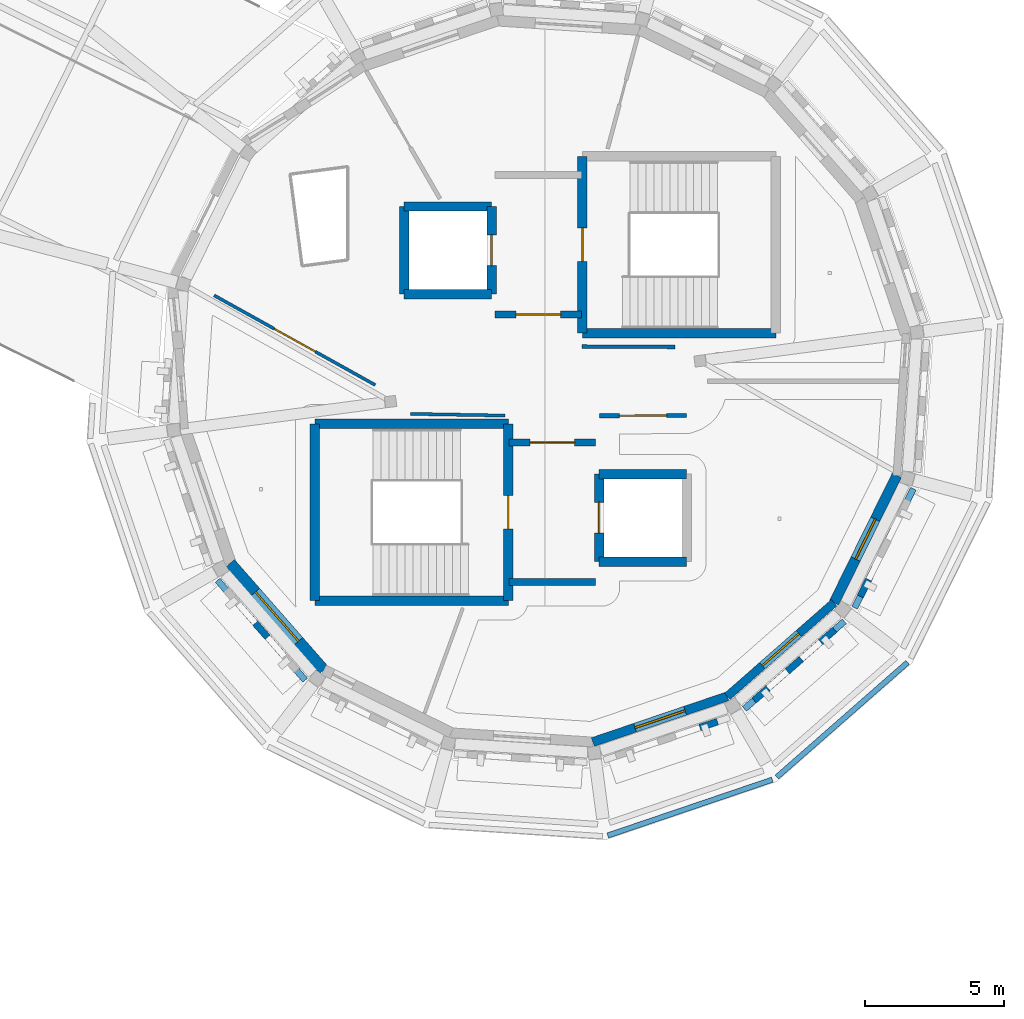
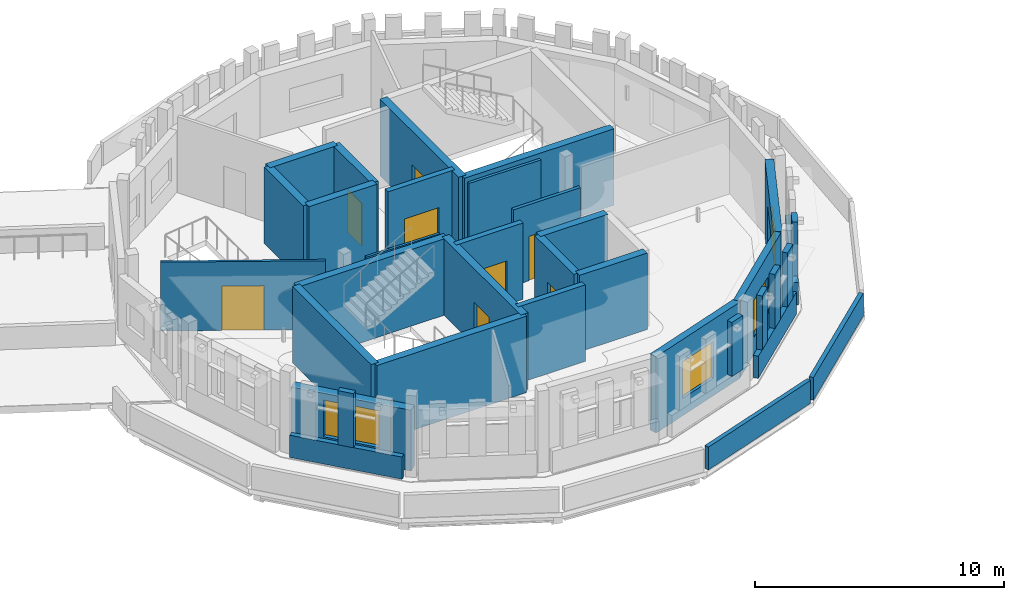
# One storey, part 43 of 51: 35 walls, 8 doors, 4 windows, 12 openings.
"""IFC4 building model written with IfcOpenShell, lengths in metres."""

from ifc_helpers import new_model, si_unit, direction, frame, frame_2d, origin, place, context, subcontext, project, spatial, rectangle, extrude, material, layer, layer_set, type_object, element, fill, save


model = new_model("IFC4")

# Units and contexts
model_context = context("Model", 3, precision=1e-05, world=origin(), true_north=direction((0.0, 1.0)))
body_context = subcontext(model_context, "Body", "Model", "MODEL_VIEW")
ifc_project = project(units=[si_unit("LENGTHUNIT", "METRE"), si_unit("AREAUNIT", "SQUARE_METRE"), si_unit("VOLUMEUNIT", "CUBIC_METRE"), si_unit("PLANEANGLEUNIT", "RADIAN"), si_unit("MASSUNIT", "GRAM", prefix="KILO")], contexts=[model_context])

# Site, building, storey
site_placement = place(None, origin())
site = spatial("IfcSite", under=ifc_project, at=site_placement, CompositionType="ELEMENT")
building_placement = place(site_placement, origin())
building = spatial("IfcBuilding", under=site, at=building_placement, Name="Wrenclough Park School", CompositionType="ELEMENT")
storey_placement = place(building_placement, frame((0.0, 0.0, 16.800048828125)))
storey = spatial("IfcBuildingStorey", under=building, at=storey_placement, Name="L04", CompositionType="ELEMENT", Elevation=16.800048828125)

# Walls
ifc_material_1 = material(Name="Perforated open-bond Staffordshire and Manchester brick screen pier", Category="masonry")
ifc_layer_1 = layer(ifc_material_1, 0.2451171875)
ifc_layer_set_1 = layer_set([ifc_layer_1], Name="Perforated open-bond Staffordshire and Manchester brick screen pier")
wall_type_1 = type_object("IfcWallType", Name="ENV-BS-PR245", PredefinedType="ELEMENTEDWALL", material=ifc_layer_set_1)
wall_1_placement = place(storey_placement, frame((164.091796875, 84.816162109375, 1.08984375), z_axis=(0.0, 0.0, 1.0), x_axis=(0.659151419206, -0.752010243653, 0.0)))
element("IfcWall", 1, at=wall_1_placement, inside=storey, type_object=wall_type_1, Name="D5 L04 perforated brick screen pier 0985", PredefinedType="ELEMENTEDWALL", context=body_context, shape_type="SweptSolid", body=[
    extrude(rectangle(XDim=0.667724609375, YDim=0.2451171875, at=frame_2d((0.333984375, 0.0))), origin(), (0.0, 0.0, 1.0), 2.650146484375),
])
wall_2_placement = place(storey_placement, frame((180.045166015625, 81.07177734375, 1.08984375), z_axis=(0.0, 0.0, 1.0), x_axis=(0.946948864442, 0.321384268643, 0.0)))
element("IfcWall", 2, at=wall_2_placement, inside=storey, type_object=wall_type_1, Name="D5 L04 perforated brick screen pier 0995", PredefinedType="ELEMENTEDWALL", context=body_context, shape_type="SweptSolid", body=[
    extrude(rectangle(XDim=0.6669921875, YDim=0.2451171875, at=frame_2d((0.33349609375, 0.0))), origin(), (0.0, 0.0, 1.0), 2.650146484375),
])
wall_3_placement = place(storey_placement, frame((181.989013671875, 82.043701171875, 1.08984375), z_axis=(0.0, 0.0, 1.0), x_axis=(0.751829042131, 0.659358090425, 0.0)))
element("IfcWall", 3, at=wall_3_placement, inside=storey, type_object=wall_type_1, Name="D5 L04 perforated brick screen pier 0996", PredefinedType="ELEMENTEDWALL", context=body_context, shape_type="SweptSolid", body=[
    extrude(rectangle(XDim=0.66796875, YDim=0.2451171875, at=frame_2d((0.333984375, 0.0))), origin(), (0.0, 0.0, 1.0), 2.650146484375),
])
wall_4_placement = place(storey_placement, frame((183.183837890625, 83.091796875, 1.08984375), z_axis=(0.0, 0.0, 1.0), x_axis=(0.752010243653, 0.659151419206, 0.0)))
element("IfcWall", 4, at=wall_4_placement, inside=storey, type_object=wall_type_1, Name="D5 L04 perforated brick screen pier 0997", PredefinedType="ELEMENTEDWALL", context=body_context, shape_type="SweptSolid", body=[
    extrude(rectangle(XDim=0.667724609375, YDim=0.2451171875, at=frame_2d((0.333984375, 0.0))), origin(), (0.0, 0.0, 1.0), 2.650146484375),
])
for number, where, z_axis, x_axis, name in (
    (5, (184.378662109375, 84.1396484375, 1.08984375), (0.0, 0.0, 1.0), (0.751829042131, 0.659358090425, 0.0), "D5 L04 perforated brick screen pier 0998"),
    (6, (185.802978515625, 85.78173828125, 1.08984375), (0.0, 0.0, 1.0), (0.442236102109, 0.896898673202, 0.0), "D5 L04 perforated brick screen pier 0999"),
):
    element("IfcWall", number, at=place(storey_placement, frame(where, z_axis=z_axis, x_axis=x_axis)), inside=storey, type_object=wall_type_1, Name=name, PredefinedType="ELEMENTEDWALL", context=body_context, shape_type="SweptSolid", body=[
        extrude(rectangle(XDim=0.66796875, YDim=0.2451171875, at=frame_2d((0.333984375, 0.0))), origin(), (0.0, 0.0, 1.0), 2.650146484375),
    ])
ifc_material_2 = material(Name="Open-bond Manchester multi-stock brick spandrel screen", Category="masonry")
ifc_layer_2 = layer(ifc_material_2, 0.22509765625)
ifc_layer_set_2 = layer_set([ifc_layer_2], Name="Open-bond Manchester multi-stock brick spandrel screen")
wall_type_2 = type_object("IfcWallType", Name="ENV-BS-SP225", PredefinedType="ELEMENTEDWALL", material=ifc_layer_set_2)
for number, where, z_axis, x_axis, name in (
    (7, (162.739990234375, 86.357421875, 0.0), (0.0, 0.0, 1.0), (0.659356078342, -0.751830806733, 0.0), "D5 L04 open-bond brick screen spandrel 0274"),
    (8, (181.642578125, 81.739990234375, 0.0), (0.0, 0.0, 1.0), (0.751830806733, 0.659356078342, 0.0), "D5 L04 open-bond brick screen spandrel 0278"),
    (9, (185.59912109375, 85.368408203125, 0.0), (0.0, 0.0, 1.0), (0.442291355722, 0.896871427047, 0.0), "D5 L04 open-bond brick screen spandrel 0279"),
):
    element("IfcWall", number, at=place(storey_placement, frame(where, z_axis=z_axis, x_axis=x_axis)), inside=storey, type_object=wall_type_2, Name=name, PredefinedType="ELEMENTEDWALL", context=body_context, shape_type="SweptSolid", body=[
        extrude(rectangle(XDim=4.76806640625, YDim=0.22509765625, at=frame_2d((2.384033203125, 0.0))), origin(), (0.0, 0.0, 1.0), 1.08984375),
    ])

# Wall, opening, window
ifc_material_3 = material(Name="Manchester multi-stock brick and Concrete C32/40 inner leaf", Category="masonry")
ifc_layer_3 = layer(ifc_material_3, 0.300048828125)
ifc_layer_set_3 = layer_set([ifc_layer_3], Name="Manchester multi-stock brick and Concrete C32/40 inner leaf")
wall_type_3 = type_object("IfcWallType", Name="ENV-EW-300", PredefinedType="SOLIDWALL", material=ifc_layer_set_3)
wall_5_placement = place(storey_placement, frame((184.859375, 85.55078125, 0.0), z_axis=(0.0, 0.0, 1.0), x_axis=(-0.751857877577, -0.659325209533, 0.0)))
wall_5 = element("IfcWall", 10, at=wall_5_placement, inside=storey, type_object=wall_type_3, Name="L04 insulated brick external wall 0352", PredefinedType="SOLIDWALL", context=body_context, shape_type="SweptSolid", body=[
    extrude(rectangle(XDim=5.0947265625, YDim=0.300048828125, at=frame_2d((2.54736328125, 0.0))), origin(), (0.0, 0.0, 1.0), 3.739990234375),
])
opening_1_placement = place(wall_5_placement, frame((1.67236328125, 0.0, 0.85009765625)))
opening_1 = element("IfcOpeningElement", 11, at=opening_1_placement, cuts=wall_5, Name="Opening WN-30", PredefinedType="OPENING", context=body_context, shape_type="SweptSolid", body=[
    extrude(rectangle(XDim=1.75, YDim=1.800048828125, at=frame_2d((0.875, 0.89990234375))), frame((0.0, 0.159912109375, 0.0), z_axis=(0.0, -1.0, 0.0), x_axis=(1.0, 0.0, 0.0)), (0.0, 0.0, 1.0), 0.320068359375),
])
ifc_material_4 = material(Name="Thermally broken aluminium and double-glazed low-e glass", Category="aluminium")
window_type_1 = type_object("IfcWindowType", Name="ENV-WN-30", PartitioningType="DOUBLE_PANEL_VERTICAL", PredefinedType="WINDOW", material=ifc_material_4)
window_1_placement = place(opening_1_placement, origin())
window_1 = element("IfcWindow", 12, at=window_1_placement, inside=storey, type_object=window_type_1, Name="L04 scheduled facade window 0589", OverallHeight=1.800048828125, OverallWidth=1.75, PartitioningType="SINGLE_PANEL", PredefinedType="WINDOW", context=body_context, shape_type="SweptSolid", body=[
    extrude(rectangle(XDim=1.75, YDim=1.800048828125, at=frame_2d((0.875, 0.89990234375))), frame((0.0, 0.030029296875, 0.0), z_axis=(0.0, -1.0, 0.0), x_axis=(1.0, 0.0, 0.0)), (0.0, 0.0, 1.0), 0.06005859375),
])
fill(opening_1, window_1)

ifc_layer_4 = layer(ifc_material_3, 0.324951171875)
ifc_layer_set_4 = layer_set([ifc_layer_4], Name="Manchester multi-stock brick and Concrete C32/40 inner leaf")
wall_type_4 = type_object("IfcWallType", Name="ENV-EW-325", PredefinedType="SOLIDWALL", material=ifc_layer_set_4)
wall_6_placement = place(storey_placement, frame((181.02880859375, 82.191650390625, 0.0), z_axis=(0.0, 0.0, 1.0), x_axis=(-0.946944067006, -0.321398403796, 0.0)))
wall_6 = element("IfcWall", 13, at=wall_6_placement, inside=storey, type_object=wall_type_4, Name="L04 insulated brick external wall 0353", PredefinedType="SOLIDWALL", context=body_context, shape_type="SweptSolid", body=[
    extrude(rectangle(XDim=5.0947265625, YDim=0.324951171875, at=frame_2d((2.54736328125, 0.0))), origin(), (0.0, 0.0, 1.0), 3.739990234375),
])
opening_2_placement = place(wall_6_placement, frame((1.597412109375, 0.0, 0.85009765625)))
opening_2 = element("IfcOpeningElement", 14, at=opening_2_placement, cuts=wall_6, Name="Opening WN-31", PredefinedType="OPENING", context=body_context, shape_type="SweptSolid", body=[
    extrude(rectangle(XDim=1.89990234375, YDim=1.800048828125, at=frame_2d((0.949951171875, 0.89990234375))), frame((0.0, 0.17236328125, 0.0), z_axis=(0.0, -1.0, 0.0), x_axis=(1.0, 0.0, 0.0)), (0.0, 0.0, 1.0), 0.344970703125),
])
window_type_2 = type_object("IfcWindowType", Name="ENV-WN-31", PartitioningType="DOUBLE_PANEL_VERTICAL", PredefinedType="WINDOW", material=ifc_material_4)
window_2_placement = place(opening_2_placement, origin())
window_2 = element("IfcWindow", 15, at=window_2_placement, inside=storey, type_object=window_type_2, Name="L04 scheduled facade window 0590", OverallHeight=1.800048828125, OverallWidth=1.89990234375, PartitioningType="SINGLE_PANEL", PredefinedType="WINDOW", context=body_context, shape_type="SweptSolid", body=[
    extrude(rectangle(XDim=1.89990234375, YDim=1.800048828125, at=frame_2d((0.949951171875, 0.89990234375))), frame((0.0, 0.030029296875, 0.0), z_axis=(0.0, -1.0, 0.0), x_axis=(1.0, 0.0, 0.0)), (0.0, 0.0, 1.0), 0.06005859375),
])
fill(opening_2, window_2)

ifc_material_5 = material(Name="Faceted courtyard brick-cavity wall Concrete C35/45", Category="masonry")
ifc_layer_5 = layer(ifc_material_5, 0.364990234375)
ifc_layer_set_5 = layer_set([ifc_layer_5], Name="Faceted courtyard brick-cavity wall Concrete C35/45")
wall_type_5 = type_object("IfcWallType", Name="ENV-EW-365", PredefinedType="SOLIDWALL", material=ifc_layer_set_5)
wall_7_placement = place(storey_placement, frame((187.11279296875, 90.12060546875, 0.0), z_axis=(0.0, 0.0, 1.0), x_axis=(-0.442261861213, -0.896885971635, 0.0)))
wall_7 = element("IfcWall", 16, at=wall_7_placement, inside=storey, type_object=wall_type_5, Name="L04 insulated brick external wall 0351", PredefinedType="SOLIDWALL", context=body_context, shape_type="SweptSolid", body=[
    extrude(rectangle(XDim=5.09521484375, YDim=0.364990234375, at=frame_2d((2.547607421875, 0.0))), origin(), (0.0, 0.0, 1.0), 3.739990234375),
])
opening_3_placement = place(wall_7_placement, frame((1.74755859375, 0.0, 0.85009765625)))
opening_3 = element("IfcOpeningElement", 17, at=opening_3_placement, cuts=wall_7, Name="Opening WN-29", PredefinedType="OPENING", context=body_context, shape_type="SweptSolid", body=[
    extrude(rectangle(XDim=1.60009765625, YDim=1.800048828125, at=frame_2d((0.800048828125, 0.89990234375))), frame((0.0, 0.1923828125, 0.0), z_axis=(0.0, -1.0, 0.0), x_axis=(1.0, 0.0, 0.0)), (0.0, 0.0, 1.0), 0.385009765625),
])
window_type_3 = type_object("IfcWindowType", Name="ENV-WN-29", PartitioningType="DOUBLE_PANEL_VERTICAL", PredefinedType="WINDOW", material=ifc_material_4)
window_3_placement = place(opening_3_placement, origin())
window_3 = element("IfcWindow", 18, at=window_3_placement, inside=storey, type_object=window_type_3, Name="L04 scheduled facade window 0588", OverallHeight=1.800048828125, OverallWidth=1.60009765625, PartitioningType="SINGLE_PANEL", PredefinedType="WINDOW", context=body_context, shape_type="SweptSolid", body=[
    extrude(rectangle(XDim=1.60009765625, YDim=1.800048828125, at=frame_2d((0.800048828125, 0.89990234375))), frame((0.0, 0.030029296875, 0.0), z_axis=(0.0, -1.0, 0.0), x_axis=(1.0, 0.0, 0.0)), (0.0, 0.0, 1.0), 0.06005859375),
])
fill(opening_3, window_3)

ifc_material_6 = material(Name="Staffordshire blue-grey brick and Concrete C40/50 acoustic leaf", Category="masonry")
ifc_layer_6 = layer(ifc_material_6, 0.39990234375)
ifc_layer_set_6 = layer_set([ifc_layer_6], Name="Staffordshire blue-grey brick and Concrete C40/50 acoustic leaf")
wall_type_6 = type_object("IfcWallType", Name="ENV-EW-400", PredefinedType="SOLIDWALL", material=ifc_layer_set_6)
wall_8_placement = place(storey_placement, frame((166.55078125, 83.140625, 0.0), z_axis=(0.0, 0.0, 1.0), x_axis=(-0.659325209533, 0.751857877577, 0.0)))
wall_8 = element("IfcWall", 19, at=wall_8_placement, inside=storey, type_object=wall_type_6, Name="L04 insulated brick external wall 0356", PredefinedType="SOLIDWALL", context=body_context, shape_type="SweptSolid", body=[
    extrude(rectangle(XDim=5.0947265625, YDim=0.39990234375, at=frame_2d((2.54736328125, 0.0))), origin(), (0.0, 0.0, 1.0), 2.98193359375),
])
opening_4_placement = place(wall_8_placement, frame((1.372314453125, 0.0, 0.85009765625)))
opening_4 = element("IfcOpeningElement", 20, at=opening_4_placement, cuts=wall_8, Name="Opening WN-34", PredefinedType="OPENING", context=body_context, shape_type="SweptSolid", body=[
    extrude(rectangle(XDim=2.35009765625, YDim=1.800048828125, at=frame_2d((1.175048828125, 0.89990234375))), frame((0.0, 0.2099609375, 0.0), z_axis=(0.0, -1.0, 0.0), x_axis=(1.0, 0.0, 0.0)), (0.0, 0.0, 1.0), 0.419921875),
])
window_type_4 = type_object("IfcWindowType", Name="ENV-WN-34", PartitioningType="DOUBLE_PANEL_VERTICAL", PredefinedType="WINDOW", material=ifc_material_4)
window_4_placement = place(opening_4_placement, origin())
window_4 = element("IfcWindow", 21, at=window_4_placement, inside=storey, type_object=window_type_4, Name="L04 scheduled facade window 0593", OverallHeight=1.800048828125, OverallWidth=2.35009765625, PartitioningType="SINGLE_PANEL", PredefinedType="WINDOW", context=body_context, shape_type="SweptSolid", body=[
    extrude(rectangle(XDim=2.35009765625, YDim=1.800048828125, at=frame_2d((1.175048828125, 0.89990234375))), frame((0.0, 0.030029296875, 0.0), z_axis=(0.0, -1.0, 0.0), x_axis=(1.0, 0.0, 0.0)), (0.0, 0.0, 1.0), 0.06005859375),
])
fill(opening_4, window_4)

# Walls
ifc_material_7 = material(Name="Patinated copper-coped link roof parapet", Category="masonry")
ifc_layer_7 = layer(ifc_material_7, 0.18994140625)
ifc_layer_set_7 = layer_set([ifc_layer_7], Name="Patinated copper-coped link roof parapet")
wall_type_7 = type_object("IfcWallType", Name="ENV-PW-190", PredefinedType="PARAPET", material=ifc_layer_set_7)
for number, where, z_axis, x_axis, name in (
    (22, (176.740234375, 77.198974609375, 0.0), (0.0, 0.0, 1.0), (0.946927007539, 0.321448662143, 0.0), "D5-STEP-ROOF cylindrical drum parapet wall 060"),
    (23, (182.807861328125, 79.297119140625, 0.0), (0.0, 0.0, 1.0), (0.751841494218, 0.659343891738, 0.0), "D5-STEP-ROOF cylindrical drum parapet wall 061"),
):
    element("IfcWall", number, at=place(storey_placement, frame(where, z_axis=z_axis, x_axis=x_axis)), inside=storey, type_object=wall_type_7, Name=name, PredefinedType="PARAPET", context=body_context, shape_type="SweptSolid", body=[
        extrude(rectangle(XDim=6.237060546875, YDim=0.18994140625, at=frame_2d((3.11865234375, 0.0))), origin(), (0.0, 0.0, 1.0), 1.119873046875),
    ])
ifc_material_8 = material(Name="Concrete C35/45", Category="concrete")
ifc_layer_8 = layer(ifc_material_8, 0.25)
ifc_layer_set_8 = layer_set([ifc_layer_8], Name="Concrete C35/45")
wall_type_8 = type_object("IfcWallType", Name="INT-CW-250", PredefinedType="SHEAR", material=ifc_layer_set_8)
wall_9_placement = place(storey_placement, frame((173.199951171875, 86.300048828125, 0.0), z_axis=(0.0, 0.0, 1.0), x_axis=(1.0, 0.0, 0.0)))
element("IfcWall", 24, at=wall_9_placement, inside=storey, type_object=wall_type_8, Name="Core C5 L04 lobby fire wall south", PredefinedType="SHEAR", context=body_context, shape_type="SweptSolid", body=[
    extrude(rectangle(XDim=3.10009765625, YDim=0.25, at=frame_2d((1.550048828125, 0.0))), origin(), (0.0, 0.0, 1.0), 3.75),
])

# Wall, opening, door
wall_10_placement = place(storey_placement, frame((176.300048828125, 91.300048828125, 0.0), z_axis=(0.0, 0.0, 1.0), x_axis=(-1.0, 0.0, 0.0)))
wall_10 = element("IfcWall", 25, at=wall_10_placement, inside=storey, type_object=wall_type_8, Name="Core C5 L04 lobby fire wall north", PredefinedType="SHEAR", context=body_context, shape_type="SweptSolid", body=[
    extrude(rectangle(XDim=3.10009765625, YDim=0.25, at=frame_2d((1.550048828125, 0.0))), origin(), (0.0, 0.0, 1.0), 3.75),
])
opening_5_placement = place(wall_10_placement, frame((0.75, 0.0, 0.0)))
opening_5 = element("IfcOpeningElement", 26, at=opening_5_placement, cuts=wall_10, Name="Opening DLB-C5-L04", PredefinedType="OPENING", context=body_context, shape_type="SweptSolid", body=[
    extrude(rectangle(XDim=1.60009765625, YDim=2.14990234375, at=frame_2d((0.800048828125, 1.074951171875))), frame((0.0, 0.135009765625, 0.0), z_axis=(0.0, -1.0, 0.0), x_axis=(1.0, 0.0, 0.0)), (0.0, 0.0, 1.0), 0.27001953125),
])
ifc_material_9 = material(Name="Double-leaf firefighting lobby door assembly", Category="wood")
door_type_1 = type_object("IfcDoorType", Name="INT-DR-FF160", OperationType="NOTDEFINED", PredefinedType="DOOR", material=ifc_material_9)
door_1_placement = place(opening_5_placement, origin())
door_1 = element("IfcDoor", 27, at=door_1_placement, inside=storey, type_object=door_type_1, Name="Core C5 L04 protected lobby fire door", OperationType="DOUBLE_DOOR_SINGLE_SWING", OverallHeight=2.14990234375, OverallWidth=1.60009765625, PredefinedType="DOOR", context=body_context, shape_type="SweptSolid", body=[
    extrude(rectangle(XDim=1.60009765625, YDim=2.14990234375, at=frame_2d((0.800048828125, 1.074951171875))), frame((0.0, 0.02490234375, 0.0), z_axis=(0.0, -1.0, 0.0), x_axis=(1.0, 0.0, 0.0)), (0.0, 0.0, 1.0), 0.050048828125),
])
fill(opening_5, door_1)

wall_11_placement = place(storey_placement, frame((172.699951171875, 95.89990234375, 0.0), z_axis=(0.0, 0.0, 1.0), x_axis=(1.0, 0.0, 0.0)))
wall_11 = element("IfcWall", 28, at=wall_11_placement, inside=storey, type_object=wall_type_8, Name="Core C6 L04 lobby fire wall south", PredefinedType="SHEAR", context=body_context, shape_type="SweptSolid", body=[
    extrude(rectangle(XDim=3.10009765625, YDim=0.25, at=frame_2d((1.550048828125, 0.0))), origin(), (0.0, 0.0, 1.0), 3.75),
])
opening_6_placement = place(wall_11_placement, frame((0.75, 0.0, 0.0)))
opening_6 = element("IfcOpeningElement", 29, at=opening_6_placement, cuts=wall_11, Name="Opening DLB-C6-L04", PredefinedType="OPENING", context=body_context, shape_type="SweptSolid", body=[
    extrude(rectangle(XDim=1.60009765625, YDim=2.14990234375, at=frame_2d((0.800048828125, 1.074951171875))), frame((0.0, 0.135009765625, 0.0), z_axis=(0.0, -1.0, 0.0), x_axis=(1.0, 0.0, 0.0)), (0.0, 0.0, 1.0), 0.27001953125),
])
door_2_placement = place(opening_6_placement, origin())
door_2 = element("IfcDoor", 30, at=door_2_placement, inside=storey, type_object=door_type_1, Name="Core C6 L04 protected lobby fire door", OperationType="DOUBLE_DOOR_SINGLE_SWING", OverallHeight=2.14990234375, OverallWidth=1.60009765625, PredefinedType="DOOR", context=body_context, shape_type="SweptSolid", body=[
    extrude(rectangle(XDim=1.60009765625, YDim=2.14990234375, at=frame_2d((0.800048828125, 1.074951171875))), frame((0.0, 0.02490234375, 0.0), z_axis=(0.0, -1.0, 0.0), x_axis=(1.0, 0.0, 0.0)), (0.0, 0.0, 1.0), 0.050048828125),
])
fill(opening_6, door_2)

# Wall
ifc_material_10 = material(Name="Concrete C40/50", Category="concrete")
ifc_layer_9 = layer(ifc_material_10, 0.340087890625)
ifc_layer_set_9 = layer_set([ifc_layer_9], Name="Concrete C40/50")
wall_type_9 = type_object("IfcWallType", Name="INT-CW-340", PredefinedType="SHEAR", material=ifc_layer_set_9)
wall_12_placement = place(storey_placement, frame((166.22998046875, 85.6298828125, 0.0), z_axis=(0.0, 0.0, 1.0), x_axis=(1.0, 0.0, 0.0)))
element("IfcWall", 31, at=wall_12_placement, inside=storey, type_object=wall_type_9, Name="Core C5 L04 south shear wall", PredefinedType="SHEAR", context=body_context, shape_type="SweptSolid", body=[
    extrude(rectangle(XDim=6.93994140625, YDim=0.340087890625, at=frame_2d((3.469970703125, 0.0))), origin(), (0.0, 0.0, 1.0), 3.75),
])

# Wall, opening, door
wall_13_placement = place(storey_placement, frame((173.169921875, 85.6298828125, 0.0), z_axis=(0.0, 0.0, 1.0), x_axis=(0.0, 1.0, 0.0)))
wall_13 = element("IfcWall", 32, at=wall_13_placement, inside=storey, type_object=wall_type_9, Name="Core C5 L04 east shear wall", PredefinedType="SHEAR", context=body_context, shape_type="SweptSolid", body=[
    extrude(rectangle(XDim=6.340087890625, YDim=0.340087890625, at=frame_2d((3.169921875, 0.0))), origin(), (0.0, 0.0, 1.0), 3.75),
])
opening_7_placement = place(wall_13_placement, frame((2.570068359375, 0.0, 0.0)))
opening_7 = element("IfcOpeningElement", 33, at=opening_7_placement, cuts=wall_13, Name="Opening DST-C5-L04", PredefinedType="OPENING", context=body_context, shape_type="SweptSolid", body=[
    extrude(rectangle(XDim=1.199951171875, YDim=2.10009765625, at=frame_2d((0.60009765625, 1.050048828125))), frame((0.0, 0.179931640625, 0.0), z_axis=(0.0, -1.0, 0.0), x_axis=(1.0, 0.0, 0.0)), (0.0, 0.0, 1.0), 0.360107421875),
])
ifc_material_11 = material(Name="Solid-core hardwood firefighting stair door assembly", Category="wood")
door_type_2 = type_object("IfcDoorType", Name="INT-DR-FF120", OperationType="NOTDEFINED", PredefinedType="DOOR", material=ifc_material_11)
door_3_placement = place(opening_7_placement, origin())
door_3 = element("IfcDoor", 34, at=door_3_placement, inside=storey, type_object=door_type_2, Name="Stair ST-05 L04 fire door", OperationType="SINGLE_SWING_LEFT", OverallHeight=2.10009765625, OverallWidth=1.199951171875, PredefinedType="DOOR", context=body_context, shape_type="SweptSolid", body=[
    extrude(rectangle(XDim=1.199951171875, YDim=2.10009765625, at=frame_2d((0.60009765625, 1.050048828125))), frame((0.0, 0.02490234375, 0.0), z_axis=(0.0, -1.0, 0.0), x_axis=(1.0, 0.0, 0.0)), (0.0, 0.0, 1.0), 0.050048828125),
])
fill(opening_7, door_3)

# Walls
wall_14_placement = place(storey_placement, frame((173.169921875, 91.969970703125, 0.0), z_axis=(0.0, 0.0, 1.0), x_axis=(-1.0, 0.0, 0.0)))
element("IfcWall", 35, at=wall_14_placement, inside=storey, type_object=wall_type_9, Name="Core C5 L04 north shear wall", PredefinedType="SHEAR", context=body_context, shape_type="SweptSolid", body=[
    extrude(rectangle(XDim=6.93994140625, YDim=0.340087890625, at=frame_2d((3.469970703125, 0.0))), origin(), (0.0, 0.0, 1.0), 3.75),
])
wall_15_placement = place(storey_placement, frame((166.22998046875, 91.969970703125, 0.0), z_axis=(0.0, 0.0, 1.0), x_axis=(0.0, -1.0, 0.0)))
element("IfcWall", 36, at=wall_15_placement, inside=storey, type_object=wall_type_9, Name="Core C5 L04 west shear wall", PredefinedType="SHEAR", context=body_context, shape_type="SweptSolid", body=[
    extrude(rectangle(XDim=6.340087890625, YDim=0.340087890625, at=frame_2d((3.169921875, 0.0))), origin(), (0.0, 0.0, 1.0), 3.75),
])
for number, where, z_axis, x_axis, name in (
    (37, (176.429931640625, 87.030029296875, 0.0), (0.0, 0.0, 1.0), (1.0, 0.0, 0.0), "Lift LFT-01 L04 south shaft wall"),
    (38, (179.570068359375, 90.169921875, 0.0), (0.0, 0.0, 1.0), (-1.0, 0.0, 0.0), "Lift LFT-01 L04 north shaft wall"),
):
    element("IfcWall", number, at=place(storey_placement, frame(where, z_axis=z_axis, x_axis=x_axis)), inside=storey, type_object=wall_type_9, Name=name, PredefinedType="SHEAR", context=body_context, shape_type="SweptSolid", body=[
        extrude(rectangle(XDim=3.14013671875, YDim=0.340087890625, at=frame_2d((1.570068359375, 0.0))), origin(), (0.0, 0.0, 1.0), 3.75),
    ])

# Wall, opening, door
wall_16_placement = place(storey_placement, frame((176.429931640625, 90.169921875, 0.0), z_axis=(0.0, 0.0, 1.0), x_axis=(0.0, -1.0, 0.0)))
wall_16 = element("IfcWall", 39, at=wall_16_placement, inside=storey, type_object=wall_type_9, Name="Lift LFT-01 L04 west shaft wall", PredefinedType="SHEAR", context=body_context, shape_type="SweptSolid", body=[
    extrude(rectangle(XDim=3.139892578125, YDim=0.340087890625, at=frame_2d((1.56982421875, 0.0))), origin(), (0.0, 0.0, 1.0), 3.75),
])
opening_8_placement = place(wall_16_placement, frame((1.02001953125, 0.0, 0.0)))
opening_8 = element("IfcOpeningElement", 40, at=opening_8_placement, cuts=wall_16, Name="Opening LD-01-L04", PredefinedType="OPENING", context=body_context, shape_type="SweptSolid", body=[
    extrude(rectangle(XDim=1.10009765625, YDim=2.10009765625, at=frame_2d((0.550048828125, 1.050048828125))), frame((0.0, 0.179931640625, 0.0), z_axis=(0.0, -1.0, 0.0), x_axis=(1.0, 0.0, 0.0)), (0.0, 0.0, 1.0), 0.360107421875),
])
ifc_material_12 = material(Name="Brushed stainless steel", Category="steel")
door_type_3 = type_object("IfcDoorType", Name="INT-DR-LD110", OperationType="NOTDEFINED", PredefinedType="DOOR", material=ifc_material_12)
door_4_placement = place(opening_8_placement, frame((1.10009765625, 0.0, 0.0), z_axis=(0.0, 0.0, 1.0), x_axis=(-1.0, 0.0, 0.0)))
door_4 = element("IfcDoor", 41, at=door_4_placement, inside=storey, type_object=door_type_3, Name="Lift LFT-01 L04 sliding landing door", OperationType="DOUBLE_DOOR_SLIDING", OverallHeight=2.10009765625, OverallWidth=1.10009765625, PredefinedType="DOOR", context=body_context, shape_type="SweptSolid", body=[
    extrude(rectangle(XDim=1.10009765625, YDim=2.10009765625, at=frame_2d((0.550048828125, 1.050048828125))), frame((0.0, 0.02490234375, 0.0), z_axis=(0.0, -1.0, 0.0), x_axis=(1.0, 0.0, 0.0)), (0.0, 0.0, 1.0), 0.050048828125),
])
fill(opening_8, door_4)

# Wall
wall_17_placement = place(storey_placement, frame((175.830078125, 95.22998046875, 0.0), z_axis=(0.0, 0.0, 1.0), x_axis=(1.0, 0.0, 0.0)))
element("IfcWall", 42, at=wall_17_placement, inside=storey, type_object=wall_type_9, Name="Core C6 L04 south shear wall", PredefinedType="SHEAR", context=body_context, shape_type="SweptSolid", body=[
    extrude(rectangle(XDim=6.93994140625, YDim=0.340087890625, at=frame_2d((3.469970703125, 0.0))), origin(), (0.0, 0.0, 1.0), 3.75),
])

# Wall, opening, door
wall_18_placement = place(storey_placement, frame((175.830078125, 101.570068359375, 0.0), z_axis=(0.0, 0.0, 1.0), x_axis=(0.0, -1.0, 0.0)))
wall_18 = element("IfcWall", 43, at=wall_18_placement, inside=storey, type_object=wall_type_9, Name="Core C6 L04 west shear wall", PredefinedType="SHEAR", context=body_context, shape_type="SweptSolid", body=[
    extrude(rectangle(XDim=6.340087890625, YDim=0.340087890625, at=frame_2d((3.169921875, 0.0))), origin(), (0.0, 0.0, 1.0), 3.75),
])
opening_9_placement = place(wall_18_placement, frame((2.570068359375, 0.0, 0.0)))
opening_9 = element("IfcOpeningElement", 44, at=opening_9_placement, cuts=wall_18, Name="Opening DST-C6-L04", PredefinedType="OPENING", context=body_context, shape_type="SweptSolid", body=[
    extrude(rectangle(XDim=1.199951171875, YDim=2.10009765625, at=frame_2d((0.60009765625, 1.050048828125))), frame((0.0, 0.179931640625, 0.0), z_axis=(0.0, -1.0, 0.0), x_axis=(1.0, 0.0, 0.0)), (0.0, 0.0, 1.0), 0.360107421875),
])
door_5_placement = place(opening_9_placement, origin())
door_5 = element("IfcDoor", 45, at=door_5_placement, inside=storey, type_object=door_type_2, Name="Stair ST-06 L04 fire door", OperationType="SINGLE_SWING_LEFT", OverallHeight=2.10009765625, OverallWidth=1.199951171875, PredefinedType="DOOR", context=body_context, shape_type="SweptSolid", body=[
    extrude(rectangle(XDim=1.199951171875, YDim=2.10009765625, at=frame_2d((0.60009765625, 1.050048828125))), frame((0.0, 0.02490234375, 0.0), z_axis=(0.0, -1.0, 0.0), x_axis=(1.0, 0.0, 0.0)), (0.0, 0.0, 1.0), 0.050048828125),
])
fill(opening_9, door_5)

# Wall
wall_19_placement = place(storey_placement, frame((169.429931640625, 96.6298828125, 0.0), z_axis=(0.0, 0.0, 1.0), x_axis=(1.0, 0.0, 0.0)))
element("IfcWall", 46, at=wall_19_placement, inside=storey, type_object=wall_type_9, Name="Lift LFT-02 L04 south shaft wall", PredefinedType="SHEAR", context=body_context, shape_type="SweptSolid", body=[
    extrude(rectangle(XDim=3.14013671875, YDim=0.340087890625, at=frame_2d((1.570068359375, 0.0))), origin(), (0.0, 0.0, 1.0), 3.75),
])

# Wall, opening, door
wall_20_placement = place(storey_placement, frame((172.570068359375, 96.6298828125, 0.0), z_axis=(0.0, 0.0, 1.0), x_axis=(0.0, 1.0, 0.0)))
wall_20 = element("IfcWall", 47, at=wall_20_placement, inside=storey, type_object=wall_type_9, Name="Lift LFT-02 L04 east shaft wall", PredefinedType="SHEAR", context=body_context, shape_type="SweptSolid", body=[
    extrude(rectangle(XDim=3.14013671875, YDim=0.340087890625, at=frame_2d((1.570068359375, 0.0))), origin(), (0.0, 0.0, 1.0), 3.75),
])
opening_10_placement = place(wall_20_placement, frame((1.02001953125, 0.0, 0.0)))
opening_10 = element("IfcOpeningElement", 48, at=opening_10_placement, cuts=wall_20, Name="Opening LD-02-L04", PredefinedType="OPENING", context=body_context, shape_type="SweptSolid", body=[
    extrude(rectangle(XDim=1.10009765625, YDim=2.10009765625, at=frame_2d((0.550048828125, 1.050048828125))), frame((0.0, 0.179931640625, 0.0), z_axis=(0.0, -1.0, 0.0), x_axis=(1.0, 0.0, 0.0)), (0.0, 0.0, 1.0), 0.360107421875),
])
door_6_placement = place(opening_10_placement, frame((1.10009765625, 0.0, 0.0), z_axis=(0.0, 0.0, 1.0), x_axis=(-1.0, 0.0, 0.0)))
door_6 = element("IfcDoor", 49, at=door_6_placement, inside=storey, type_object=door_type_3, Name="Lift LFT-02 L04 sliding landing door", OperationType="DOUBLE_DOOR_SLIDING", OverallHeight=2.10009765625, OverallWidth=1.10009765625, PredefinedType="DOOR", context=body_context, shape_type="SweptSolid", body=[
    extrude(rectangle(XDim=1.10009765625, YDim=2.10009765625, at=frame_2d((0.550048828125, 1.050048828125))), frame((0.0, 0.02490234375, 0.0), z_axis=(0.0, -1.0, 0.0), x_axis=(1.0, 0.0, 0.0)), (0.0, 0.0, 1.0), 0.050048828125),
])
fill(opening_10, door_6)

# Walls
for number, where, z_axis, x_axis, name in (
    (50, (172.570068359375, 99.77001953125, 0.0), (0.0, 0.0, 1.0), (-1.0, 0.0, 0.0), "Lift LFT-02 L04 north shaft wall"),
    (51, (169.429931640625, 99.77001953125, 0.0), (0.0, 0.0, 1.0), (0.0, -1.0, 0.0), "Lift LFT-02 L04 west shaft wall"),
):
    element("IfcWall", number, at=place(storey_placement, frame(where, z_axis=z_axis, x_axis=x_axis)), inside=storey, type_object=wall_type_9, Name=name, PredefinedType="SHEAR", context=body_context, shape_type="SweptSolid", body=[
        extrude(rectangle(XDim=3.14013671875, YDim=0.340087890625, at=frame_2d((1.570068359375, 0.0))), origin(), (0.0, 0.0, 1.0), 3.75),
    ])
ifc_material_13 = material(Name="Lightweight fire-rated store partition", Category="gypsum")
ifc_layer_10 = layer(ifc_material_13, 0.110107421875)
ifc_layer_set_10 = layer_set([ifc_layer_10], Name="Lightweight fire-rated store partition")
wall_type_10 = type_object("IfcWallType", Name="INT-PW-110", PredefinedType="PARTITIONING", material=ifc_layer_set_10)
wall_21_placement = place(storey_placement, frame((173.059326171875, 92.267578125, 0.0), z_axis=(0.0, 0.0, 1.0), x_axis=(-0.999839658039, 0.017906931946, 0.0)))
element("IfcWall", 52, at=wall_21_placement, inside=storey, type_object=wall_type_10, Name="L04 internal partition 0505", PredefinedType="PARTITIONING", context=body_context, shape_type="SweptSolid", body=[
    extrude(rectangle(XDim=3.394775390625, YDim=0.110107421875, at=frame_2d((1.697265625, 0.0))), origin(), (0.0, 0.0, 1.0), 3.72998046875),
])

# Wall, opening, door
wall_22_placement = place(storey_placement, frame((168.39599609375, 93.364990234375, 0.0), z_axis=(0.0, 0.0, 1.0), x_axis=(-0.873866395656, 0.486166147055, 0.0)))
wall_22 = element("IfcWall", 53, at=wall_22_placement, inside=storey, type_object=wall_type_10, Name="L04 internal partition 0506", PredefinedType="PARTITIONING", context=body_context, shape_type="SweptSolid", body=[
    extrude(rectangle(XDim=6.615234375, YDim=0.110107421875, at=frame_2d((3.3076171875, 0.0))), origin(), (0.0, 0.0, 1.0), 3.376953125),
])
opening_11_placement = place(wall_22_placement, frame((2.45751953125, 0.0, 0.0)))
opening_11 = element("IfcOpeningElement", 54, at=opening_11_placement, cuts=wall_22, Name="Opening DR-L04-110", PredefinedType="OPENING", context=body_context, shape_type="SweptSolid", body=[
    extrude(rectangle(XDim=1.699951171875, YDim=2.179931640625, at=frame_2d((0.85009765625, 1.08984375))), frame((0.0, 0.06494140625, 0.0), z_axis=(0.0, -1.0, 0.0), x_axis=(1.0, 0.0, 0.0)), (0.0, 0.0, 1.0), 0.130126953125),
])
ifc_material_14 = material(Name="Library reading room double vision door assembly", Category="wood")
door_type_4 = type_object("IfcDoorType", Name="INT-DR-LIB170", OperationType="NOTDEFINED", PredefinedType="DOOR", material=ifc_material_14)
door_7_placement = place(opening_11_placement, origin())
door_7 = element("IfcDoor", 55, at=door_7_placement, inside=storey, type_object=door_type_4, Name="Sixth Form Reference Library door DR-L04-110", OperationType="DOUBLE_DOOR_SINGLE_SWING", OverallHeight=2.179931640625, OverallWidth=1.699951171875, PredefinedType="DOOR", context=body_context, shape_type="SweptSolid", body=[
    extrude(rectangle(XDim=1.699951171875, YDim=2.179931640625, at=frame_2d((0.85009765625, 1.08984375))), frame((0.0, 0.02490234375, 0.0), z_axis=(0.0, -1.0, 0.0), x_axis=(1.0, 0.0, 0.0)), (0.0, 0.0, 1.0), 0.050048828125),
])
fill(opening_11, door_7)

# Wall
ifc_material_15 = material(Name="Standard fire-rated room partition", Category="gypsum")
ifc_layer_11 = layer(ifc_material_15, 0.1298828125)
ifc_layer_set_11 = layer_set([ifc_layer_11], Name="Standard fire-rated room partition")
wall_type_11 = type_object("IfcWallType", Name="INT-PW-130", PredefinedType="PARTITIONING", material=ifc_layer_set_11)
wall_23_placement = place(storey_placement, frame((175.818603515625, 94.745361328125, 0.0), z_axis=(0.0, 0.0, 1.0), x_axis=(0.999988652351, -0.004763944767, 0.0)))
element("IfcWall", 56, at=wall_23_placement, inside=storey, type_object=wall_type_11, Name="L04 internal partition 0510", PredefinedType="PARTITIONING", context=body_context, shape_type="SweptSolid", body=[
    extrude(rectangle(XDim=3.3310546875, YDim=0.1298828125, at=frame_2d((1.66552734375, 0.0))), origin(), (0.0, 0.0, 1.0), 3.72998046875),
])

# Wall, opening, door
ifc_material_16 = material(Name="Protected corridor partition", Category="gypsum")
ifc_layer_12 = layer(ifc_material_16, 0.14990234375)
ifc_layer_set_12 = layer_set([ifc_layer_12], Name="Protected corridor partition")
wall_type_12 = type_object("IfcWallType", Name="INT-PW-150", PredefinedType="PARTITIONING", material=ifc_layer_set_12)
wall_24_placement = place(storey_placement, frame((179.560302734375, 92.2705078125, 0.0), z_axis=(0.0, 0.0, 1.0), x_axis=(-0.999992920235, -0.003762908449, 0.0)))
wall_24 = element("IfcWall", 57, at=wall_24_placement, inside=storey, type_object=wall_type_12, Name="L04 internal partition 0508", PredefinedType="PARTITIONING", context=body_context, shape_type="SweptSolid", body=[
    extrude(rectangle(XDim=3.1142578125, YDim=0.14990234375, at=frame_2d((1.55712890625, 0.0))), origin(), (0.0, 0.0, 1.0), 3.72998046875),
])
opening_12_placement = place(wall_24_placement, frame((0.707275390625, 0.0, 0.0)))
opening_12 = element("IfcOpeningElement", 58, at=opening_12_placement, cuts=wall_24, Name="Opening DR-L04-111", PredefinedType="OPENING", context=body_context, shape_type="SweptSolid", body=[
    extrude(rectangle(XDim=1.699951171875, YDim=2.179931640625, at=frame_2d((0.85009765625, 1.08984375))), frame((0.0, 0.0849609375, 0.0), z_axis=(0.0, -1.0, 0.0), x_axis=(1.0, 0.0, 0.0)), (0.0, 0.0, 1.0), 0.169921875),
])
door_8_placement = place(opening_12_placement, origin())
door_8 = element("IfcDoor", 59, at=door_8_placement, inside=storey, type_object=door_type_4, Name="Sixth Form Digital Study Library door DR-L04-111", OperationType="DOUBLE_DOOR_SINGLE_SWING", OverallHeight=2.179931640625, OverallWidth=1.699951171875, PredefinedType="DOOR", context=body_context, shape_type="SweptSolid", body=[
    extrude(rectangle(XDim=1.699951171875, YDim=2.179931640625, at=frame_2d((0.85009765625, 1.08984375))), frame((0.0, 0.02490234375, 0.0), z_axis=(0.0, -1.0, 0.0), x_axis=(1.0, 0.0, 0.0)), (0.0, 0.0, 1.0), 0.050048828125),
])
fill(opening_12, door_8)

save(model, "model.ifc")
